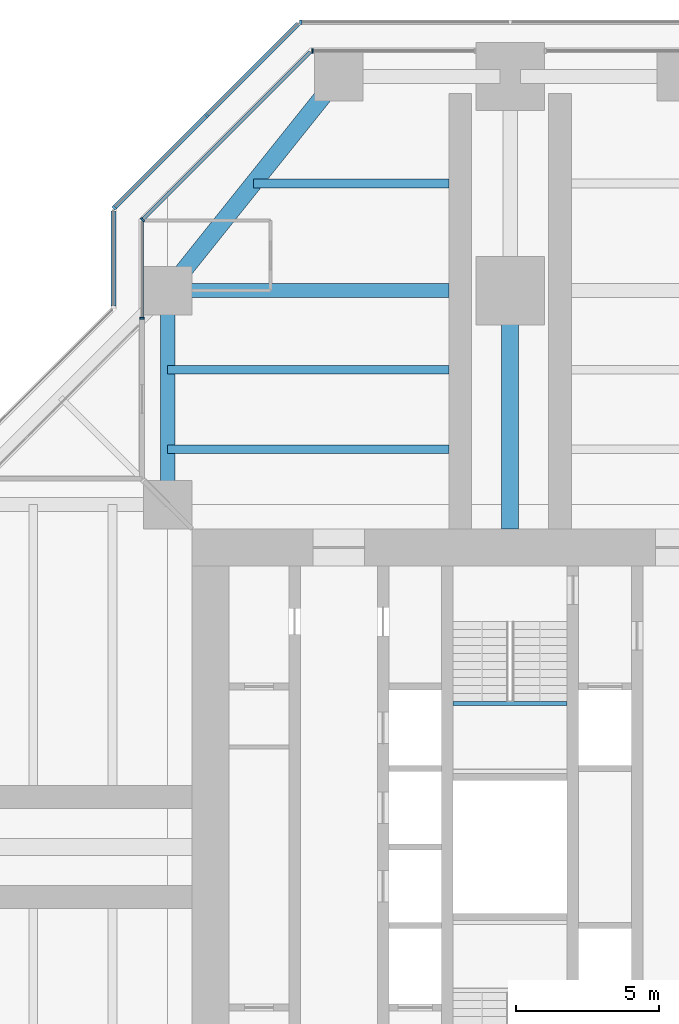
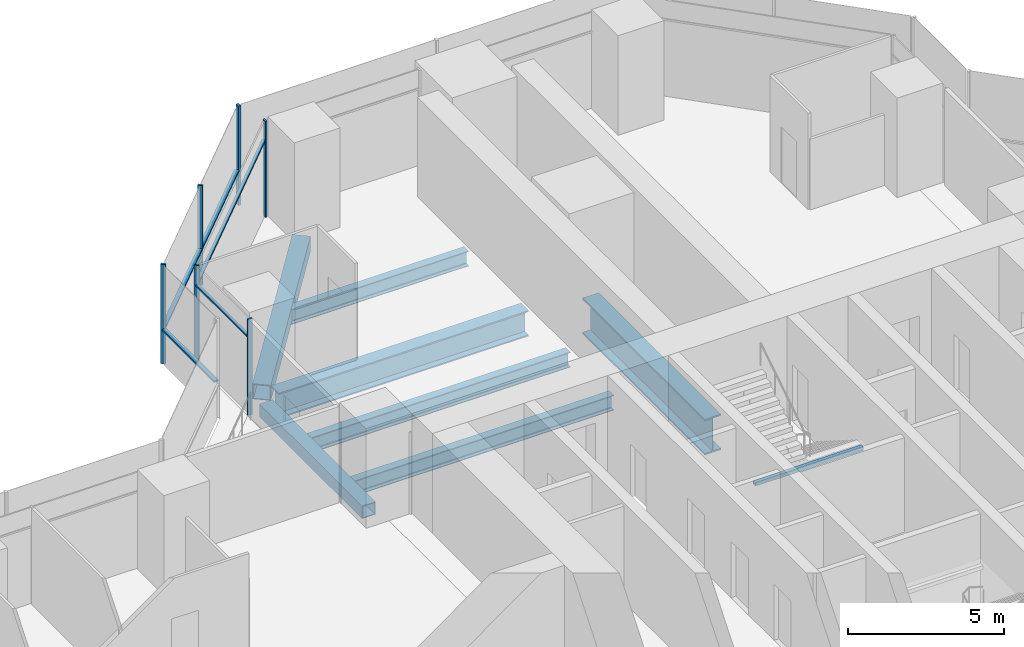
# One storey, part 8 of 20: 11 members, 8 beams, 6 elements without a shape of their own.
"""IFC4 building model written with IfcOpenShell, lengths in metres."""

import ifcopenshell
import ifcopenshell.guid

model = None  # the IFC model being written
_history = None  # IfcOwnerHistory: only IFC2X3 demands one
_inside = {}  # id of a spatial element -> (the spatial element, [elements in it])
_under = {}  # id of a project, library or spatial element -> (it, [spatial elements below it])
_declared = {}  # id of a project -> (the project, [libraries it declares])
_typed = {}  # id of a type object -> (the type object, [elements of that type])
_made_of = {}  # id of a material, layer set ... -> (it, [elements and type objects made of it])


def new_model(schema):
    """Start an empty IFC model of exactly this schema.

    Asked for "IFC4X3", IfcOpenShell would pick the latest addendum, in which some entities
    have other attributes; the version numbers below select the first issue.
    IFC2X3 requires an IfcOwnerHistory on every rooted entity: one is made here for all.
    """
    global model, _history
    if schema == "IFC4X3":
        model = ifcopenshell.file(schema_version=(4, 3, 0, 0))
    else:
        model = ifcopenshell.file(schema=schema)
    _inside.clear()
    _under.clear()
    _declared.clear()
    _typed.clear()
    _made_of.clear()
    _history = None
    if model.schema == "IFC2X3":
        org = make("IfcOrganization", Name="unknown")
        user = make(
            "IfcPersonAndOrganization",
            ThePerson=make("IfcPerson", FamilyName="unknown"),
            TheOrganization=org,
        )
        app = make(
            "IfcApplication",
            ApplicationDeveloper=org,
            Version="unknown",
            ApplicationFullName="unknown",
            ApplicationIdentifier="unknown",
        )
        _history = make(
            "IfcOwnerHistory",
            OwningUser=user,
            OwningApplication=app,
            ChangeAction="ADDED",
            CreationDate=0,
        )
    return model


def make(cls, **values):
    """One entity of the class cls with the attributes given. An attribute that is None is left unset."""
    return model.create_entity(
        cls, **{name: value for name, value in values.items() if value is not None}
    )


def rooted(cls, **values):
    """An entity with a GlobalId (a new one), such as an element, a storey or a relation."""
    return make(cls, GlobalId=ifcopenshell.guid.new(), OwnerHistory=_history, **values)


def si_unit(unit_type, name, prefix=None):
    """IfcSIUnit, for example si_unit("LENGTHUNIT", "METRE", prefix="MILLI")."""
    return make("IfcSIUnit", UnitType=unit_type, Prefix=prefix, Name=name)


def assignment(units):
    """IfcUnitAssignment: the units of a project."""
    return None if units is None else make("IfcUnitAssignment", Units=units)


def point(xyz):
    """IfcCartesianPoint."""
    return None if xyz is None else make("IfcCartesianPoint", Coordinates=xyz)


def direction(xyz):
    """IfcDirection."""
    return None if xyz is None else make("IfcDirection", DirectionRatios=xyz)


def frame(location, z_axis=None, x_axis=None):
    """IfcAxis2Placement3D, a coordinate frame: its origin and axes. An axis left out is left unset."""
    return make(
        "IfcAxis2Placement3D",
        Location=point(location),
        Axis=direction(z_axis),
        RefDirection=direction(x_axis),
    )


def frame_2d(location, x_axis=None):
    """IfcAxis2Placement2D, a coordinate frame in the plane: its origin and x axis."""
    return make(
        "IfcAxis2Placement2D", Location=point(location), RefDirection=direction(x_axis)
    )


def origin():
    """The frame at (0, 0, 0) with its axes left unset."""
    return frame((0.0, 0.0, 0.0))


def origin_2d():
    """The frame at (0, 0) in the plane with its x axis left unset."""
    return frame_2d((0.0, 0.0))


def place(relative_to, where):
    """IfcLocalPlacement: puts the frame where relative to a parent placement (None: the world)."""
    return make(
        "IfcLocalPlacement", PlacementRelTo=relative_to, RelativePlacement=where
    )


def context(
    kind, dimensions, precision=None, world=None, true_north=None, identifier=None
):
    """IfcGeometricRepresentationContext, for example the 3D "Model" context."""
    return make(
        "IfcGeometricRepresentationContext",
        ContextIdentifier=identifier,
        ContextType=kind,
        CoordinateSpaceDimension=dimensions,
        Precision=precision,
        WorldCoordinateSystem=world,
        TrueNorth=true_north,
    )


def subcontext(parent, identifier, kind, view, scale=None):
    """IfcGeometricRepresentationSubContext, for example "Body" below "Model"."""
    return make(
        "IfcGeometricRepresentationSubContext",
        ContextIdentifier=identifier,
        ContextType=kind,
        ParentContext=parent,
        TargetScale=scale,
        TargetView=view,
    )


def project(units=None, contexts=None):
    """IfcProject with its units and contexts."""
    return rooted(
        "IfcProject",
        Name="project",
        RepresentationContexts=contexts,
        UnitsInContext=assignment(units),
    )


def spatial(cls, under=None, at=None, **own):
    """A site, building, storey or space (cls), placed at a placement, below another one or the project."""
    s = rooted(cls, ObjectPlacement=at, **own)
    if under is not None:
        _under.setdefault(under.id(), (under, []))[1].append(s)
    return s


def profile(cls, at=None, kind="AREA", **sizes):
    """A parametric profile (cls). Its sizes go by their IFC names, for example OverallWidth=200.0."""
    return make(cls, ProfileType=kind, Position=at, **sizes)


def rectangle(**sizes):
    """IfcRectangleProfileDef."""
    return profile("IfcRectangleProfileDef", **sizes)


def hollow_rectangle(**sizes):
    """IfcRectangleHollowProfileDef."""
    return profile("IfcRectangleHollowProfileDef", **sizes)


def i_section(**sizes):
    """IfcIShapeProfileDef."""
    return profile("IfcIShapeProfileDef", **sizes)


def extrude(swept, where, along, depth):
    """IfcExtrudedAreaSolid: the profile swept, set in the frame where, extruded along a direction by depth."""
    return make(
        "IfcExtrudedAreaSolid",
        SweptArea=swept,
        Position=where,
        ExtrudedDirection=direction(along),
        Depth=depth,
    )


def shape(context_of_items, identifier, shape_type, items):
    """IfcShapeRepresentation: the items that make up one representation, for example the "Body"."""
    return make(
        "IfcShapeRepresentation",
        ContextOfItems=context_of_items,
        RepresentationIdentifier=identifier,
        RepresentationType=shape_type,
        Items=items,
    )


def material(Name=None, Category=None):
    """IfcMaterial."""
    return make("IfcMaterial", Name=Name, Category=Category)


def material_profile(
    of_material, cross_section, Name=None, Category=None, Priority=None
):
    """IfcMaterialProfile: a cross section and its material."""
    return make(
        "IfcMaterialProfile",
        Name=Name,
        Material=of_material,
        Profile=cross_section,
        Priority=Priority,
        Category=Category,
    )


def profile_set(profiles, Name=None, composite=None):
    """IfcMaterialProfileSet."""
    return make(
        "IfcMaterialProfileSet",
        Name=Name,
        MaterialProfiles=profiles,
        CompositeProfile=composite,
    )


def made_of(thing, what):
    """Note that an element or type object is made of a material, layer set ...; save() writes the relation."""
    if what is not None:
        _made_of.setdefault(what.id(), (what, []))[1].append(thing)
    return thing


def type_object(cls, material=None, **own):
    """A type object (cls), such as IfcWallType, which elements share."""
    return made_of(rooted(cls, **own), material)


def element(
    cls,
    number,
    at=None,
    inside=None,
    cuts=None,
    type_object=None,
    material=None,
    context=None,
    identifier="Body",
    shape_type=None,
    held_by="IfcProductDefinitionShape",
    body=None,
    shapes=None,
    **own,
):
    """One element of the class cls, such as IfcWall. Its Tag is "e" and its number.

    at: its placement. inside: the storey or other place that contains it. cuts: it is an
    opening in that element (IfcRelVoidsElement). A single representation is given by context,
    identifier, shape_type and body (its items); several are given by shapes. held_by: the class
    of the entity that holds the representations. save() writes the other relations.
    """
    e = rooted(cls, Tag="e%d" % number, ObjectPlacement=at, **own)
    if body is not None:
        shapes = [shape(context, identifier, shape_type, body)]
    if shapes is not None:
        e.Representation = make(held_by, Representations=shapes)
    if inside is not None:
        _inside.setdefault(inside.id(), (inside, []))[1].append(e)
    if cuts is not None:
        rooted(
            "IfcRelVoidsElement", RelatingBuildingElement=cuts, RelatedOpeningElement=e
        )
    if type_object is not None:
        _typed.setdefault(type_object.id(), (type_object, []))[1].append(e)
    return made_of(e, material)


def aggregate(whole, parts):
    """IfcRelAggregates: a whole, such as a stair, and the parts it consists of."""
    return rooted("IfcRelAggregates", RelatingObject=whole, RelatedObjects=parts)


def save(model, path):
    """Write the relations noted so far, then the file.

    IfcRelAggregates (storeys below a building ...), IfcRelContainedInSpatialStructure (elements
    in a storey), IfcRelDefinesByType, IfcRelAssociatesMaterial and IfcRelDeclares: one each for
    every whole, place, type object, material and project.
    """
    for whole, parts in _under.values():
        aggregate(whole, parts)
    for where, things in _inside.values():
        rooted(
            "IfcRelContainedInSpatialStructure",
            RelatedElements=things,
            RelatingStructure=where,
        )
    for kind, things in _typed.values():
        rooted("IfcRelDefinesByType", RelatedObjects=things, RelatingType=kind)
    for what, things in _made_of.values():
        rooted("IfcRelAssociatesMaterial", RelatedObjects=things, RelatingMaterial=what)
    for by, libraries in _declared.values():
        rooted("IfcRelDeclares", RelatingContext=by, RelatedDefinitions=libraries)
    model.write(path)


model = new_model("IFC4")

# Units and contexts
model_context = context("Model", 3, precision=1e-05, world=origin(), true_north=direction((0.0, 1.0)))
body_context = subcontext(model_context, "Body", "Model", "MODEL_VIEW")
ifc_project = project(units=[si_unit("LENGTHUNIT", "METRE"), si_unit("AREAUNIT", "SQUARE_METRE"), si_unit("VOLUMEUNIT", "CUBIC_METRE"), si_unit("PLANEANGLEUNIT", "RADIAN"), si_unit("MASSUNIT", "GRAM", prefix="KILO")], contexts=[model_context])

# Site, building, storey
site_placement = place(None, origin())
site = spatial("IfcSite", under=ifc_project, at=site_placement, CompositionType="ELEMENT")
building_placement = place(site_placement, origin())
building = spatial("IfcBuilding", under=site, at=building_placement, Name="Mizan Broadcast Tower", CompositionType="ELEMENT")
storey_placement = place(building_placement, frame((0.0, 0.0, 171.0)))
storey = spatial("IfcBuildingStorey", under=building, at=storey_placement, Name="L39", CompositionType="ELEMENT", Elevation=171.0)

# Beams
ifc_material_1 = material(Name="Steel S355", Category="steel")
ifc_material_profile_1 = material_profile(ifc_material_1, hollow_rectangle(XDim=0.5, YDim=0.5, WallThickness=0.030029296875, at=origin_2d()), Name="BOX 500x500x30")
ifc_profile_set_1 = profile_set([ifc_material_profile_1], Name="Steel S355")
beam_type_1 = type_object("IfcBeamType", Name="EDGE BEAM BOX 500x500x30", PredefinedType="SPANDREL", material=ifc_profile_set_1)
beam_1_placement = place(storey_placement, frame((-12.0, 12.449951171875, -0.3798828125), z_axis=(0.0, 1.0, 0.0), x_axis=(-1.0, 0.0, 0.0)))
element("IfcBeam", 1, at=beam_1_placement, inside=storey, type_object=beam_type_1, Name="Edge beam BOX 500x500x30 L39 north arm", PredefinedType="SPANDREL", context=body_context, shape_type="SweptSolid", body=[
    extrude(hollow_rectangle(XDim=0.5, YDim=0.5, WallThickness=0.030029296875, at=origin_2d()), origin(), (0.0, 0.0, 1.0), 6.60009765625),
])
ifc_material_2 = material(Name="Steel S355", Category="steel")
ifc_material_profile_2 = material_profile(ifc_material_2, hollow_rectangle(XDim=0.60009765625, YDim=0.60009765625, WallThickness=0.030029296875, at=origin_2d()), Name="BOX 600x600x30")
ifc_profile_set_2 = profile_set([ifc_material_profile_2], Name="Steel S355")
beam_type_2 = type_object("IfcBeamType", Name="EDGE BEAM BOX 600x600x30", PredefinedType="SPANDREL", material=ifc_profile_set_2)
beam_2_placement = place(storey_placement, frame((-11.639892578125, 19.949951171875, -0.429931640625), z_axis=(0.624673911726, 0.780885717636, 0.0), x_axis=(-0.780885717636, 0.624673911726, 0.0)))
element("IfcBeam", 2, at=beam_2_placement, inside=storey, type_object=beam_type_2, Name="Edge beam BOX 600x600x30 L39 north arm", PredefinedType="SPANDREL", context=body_context, shape_type="SweptSolid", body=[
    extrude(hollow_rectangle(XDim=0.60009765625, YDim=0.60009765625, WallThickness=0.030029296875, at=origin_2d()), origin(), (0.0, 0.0, 1.0), 8.4521484375),
])
ifc_material_3 = material(Name="Steel S460", Category="steel")
ifc_material_profile_3 = material_profile(ifc_material_3, i_section(OverallWidth=0.5, OverallDepth=1.0, WebThickness=0.02490234375, FlangeThickness=0.050048828125, at=origin_2d()), Name="WPG 1000x500")
ifc_profile_set_3 = profile_set([ifc_material_profile_3], Name="Steel S460")
beam_type_3 = type_object("IfcBeamType", Name="GIRDER WPG 1000x500", PredefinedType="BEAM", material=ifc_profile_set_3)
beam_3_placement = place(storey_placement, frame((-11.408935546875, 19.5, -0.6298828125), z_axis=(1.0, 0.0, 0.0), x_axis=(0.0, 1.0, 0.0)))
element("IfcBeam", 3, at=beam_3_placement, inside=storey, type_object=beam_type_3, Name="Girder WPG 1000x500 L39 north arm", PredefinedType="BEAM", context=body_context, shape_type="SweptSolid", body=[
    extrude(i_section(OverallWidth=0.5, OverallDepth=1.0, WebThickness=0.02490234375, FlangeThickness=0.050048828125, at=origin_2d()), origin(), (0.0, 0.0, 1.0), 9.259033203125),
])
ifc_material_4 = material(Name="Steel S460", Category="steel")
ifc_material_profile_4 = material_profile(ifc_material_4, i_section(OverallWidth=0.60009765625, OverallDepth=1.39990234375, WebThickness=0.02490234375, FlangeThickness=0.06005859375, at=origin_2d()), Name="WPG 1400x600")
ifc_profile_set_4 = profile_set([ifc_material_profile_4], Name="Steel S460")
beam_type_4 = type_object("IfcBeamType", Name="GIRDER WPG 1400x600", PredefinedType="BEAM", material=ifc_profile_set_4)
beam_4_placement = place(storey_placement, frame((0.0, 11.14990234375, -0.830078125), z_axis=(0.0, 1.0, 0.0), x_axis=(-1.0, 0.0, 0.0)))
element("IfcBeam", 4, at=beam_4_placement, inside=storey, type_object=beam_type_4, Name="Girder WPG 1400x600 L39 north arm", PredefinedType="BEAM", context=body_context, shape_type="SweptSolid", body=[
    extrude(i_section(OverallWidth=0.60009765625, OverallDepth=1.39990234375, WebThickness=0.02490234375, FlangeThickness=0.06005859375, at=origin_2d()), origin(), (0.0, 0.0, 1.0), 7.84912109375),
])

# Curtain wall, member
ifc_material_5 = material(Name="Aluminium framed glazing", Category="aluminium")
curtain_wall_type_1 = type_object("IfcCurtainWallType", Name="INNER SKIN MID ZONE", PredefinedType="USERDEFINED", material=ifc_material_5)
curtain_wall_1_placement = place(storey_placement, origin())
curtain_wall_1 = element("IfcCurtainWall", 5, at=curtain_wall_1_placement, inside=storey, type_object=curtain_wall_type_1, Name="Inner skin mid zone L39 N end", ObjectType="INNER SKIN MID ZONE", PredefinedType="USERDEFINED")
ifc_material_6 = material(Name="Aluminium, pale anodised", Category="aluminium")
ifc_material_profile_5 = material_profile(ifc_material_6, rectangle(XDim=0.159912109375, YDim=0.06005859375, at=origin_2d()), Name="MULLION 160x60")
ifc_profile_set_5 = profile_set([ifc_material_profile_5], Name="Aluminium, pale anodised")
member_type_1 = type_object("IfcMemberType", Name="INNER SKIN MULLION 60x160", PredefinedType="MULLION", material=ifc_profile_set_5)
member_1_placement = place(storey_placement, frame((-6.928466796875, 27.89990234375, 0.0), z_axis=(0.0, 0.0, 1.0), x_axis=(0.0, -1.0, 0.0)))
member_1 = element("IfcMember", 6, at=member_1_placement, type_object=member_type_1, Name="Inner skin mid zone L39 N end mullion 2", PredefinedType="MULLION", context=body_context, shape_type="SweptSolid", body=[
    extrude(rectangle(XDim=0.159912109375, YDim=0.06005859375, at=origin_2d()), origin(), (0.0, 0.0, 1.0), 3.77001953125),
])
aggregate(curtain_wall_1, [member_1])

curtain_wall_2_placement = place(storey_placement, origin())
curtain_wall_2 = element("IfcCurtainWall", 7, at=curtain_wall_2_placement, inside=storey, type_object=curtain_wall_type_1, Name="Inner skin mid zone L39 N chamfer", ObjectType="INNER SKIN MID ZONE", PredefinedType="USERDEFINED")
member_2_placement = place(storey_placement, frame((-12.87890625, 21.979736328125, 0.0), z_axis=(0.0, 0.0, 1.0), x_axis=(0.707106781187, -0.707106781187, 0.0)))
member_2 = element("IfcMember", 8, at=member_2_placement, type_object=member_type_1, Name="Inner skin mid zone L39 N chamfer mullion 2", PredefinedType="MULLION", context=body_context, shape_type="SweptSolid", body=[
    extrude(rectangle(XDim=0.159912109375, YDim=0.06005859375, at=origin_2d()), origin(), (0.0, 0.0, 1.0), 3.77001953125),
])

curtain_wall_3_placement = place(storey_placement, origin())
curtain_wall_3 = element("IfcCurtainWall", 9, at=curtain_wall_3_placement, inside=storey, type_object=curtain_wall_type_1, Name="Inner skin mid zone L39 N side", ObjectType="INNER SKIN MID ZONE", PredefinedType="USERDEFINED")
member_3_placement = place(storey_placement, frame((-12.89990234375, 18.530029296875, 0.0), z_axis=(0.0, 0.0, 1.0), x_axis=(1.0, 0.0, 0.0)))
member_3 = element("IfcMember", 10, at=member_3_placement, type_object=member_type_1, Name="Inner skin mid zone L39 N side mullion 2", PredefinedType="MULLION", context=body_context, shape_type="SweptSolid", body=[
    extrude(rectangle(XDim=0.159912109375, YDim=0.06005859375, at=origin_2d()), origin(), (0.0, 0.0, 1.0), 3.77001953125),
])

# Member
ifc_material_7 = material(Name="Aluminium, pale anodised", Category="aluminium")
ifc_material_profile_6 = material_profile(ifc_material_7, rectangle(XDim=0.1201171875, YDim=0.06005859375, at=origin_2d()), Name="TRANSOM 120x60")
ifc_profile_set_6 = profile_set([ifc_material_profile_6], Name="Aluminium, pale anodised")
member_type_2 = type_object("IfcMemberType", Name="INNER SKIN TRANSOM 60x120", PredefinedType="USERDEFINED", material=ifc_profile_set_6)
member_4_placement = place(storey_placement, frame((-7.0009765625, 27.857666015625, 3.030029296875), z_axis=(-0.707106781187, -0.707106781187, 0.0), x_axis=(0.707106781187, -0.707106781187, 0.0)))
member_4 = element("IfcMember", 11, at=member_4_placement, type_object=member_type_2, Name="Inner skin mid zone L39 N chamfer transom 1.1", ObjectType="TRANSOM", PredefinedType="USERDEFINED", context=body_context, shape_type="SweptSolid", body=[
    extrude(rectangle(XDim=0.1201171875, YDim=0.06005859375, at=origin_2d()), origin(), (0.0, 0.0, 1.0), 8.28271484375),
])

aggregate(curtain_wall_2, [member_2, member_4])

member_5_placement = place(storey_placement, frame((-12.89990234375, 21.898681640625, 3.030029296875), z_axis=(0.0, -1.0, 0.0), x_axis=(1.0, 0.0, 0.0)))
member_5 = element("IfcMember", 12, at=member_5_placement, type_object=member_type_2, Name="Inner skin mid zone L39 N side transom 1.1", ObjectType="TRANSOM", PredefinedType="USERDEFINED", context=body_context, shape_type="SweptSolid", body=[
    extrude(rectangle(XDim=0.1201171875, YDim=0.06005859375, at=origin_2d()), origin(), (0.0, 0.0, 1.0), 3.338623046875),
])

aggregate(curtain_wall_3, [member_3, member_5])

# Beam
ifc_material_8 = material(Name="Steel S355", Category="steel")
ifc_material_profile_7 = material_profile(ifc_material_8, hollow_rectangle(XDim=0.14990234375, YDim=0.14990234375, WallThickness=0.008056640625, InnerFilletRadius=0.008056640625, OuterFilletRadius=0.011962890625, at=origin_2d()), Name="SHS 150x150x8")
ifc_profile_set_7 = profile_set([ifc_material_profile_7], Name="Steel S355")
beam_type_5 = type_object("IfcBeamType", Name="LANDING TRIMMER SHS 150x150x8", PredefinedType="BEAM", material=ifc_profile_set_7)
beam_5_placement = place(storey_placement, frame((2.0, 5.02490234375, 1.675048828125), z_axis=(-1.0, 0.0, 0.0), x_axis=(0.0, -1.0, 0.0)))
element("IfcBeam", 13, at=beam_5_placement, inside=storey, type_object=beam_type_5, Name="Stair B landing trimmer L39", PredefinedType="BEAM", context=body_context, shape_type="SweptSolid", body=[
    extrude(hollow_rectangle(XDim=0.14990234375, YDim=0.14990234375, WallThickness=0.008056640625, InnerFilletRadius=0.008056640625, OuterFilletRadius=0.011962890625, at=origin_2d()), origin(), (0.0, 0.0, 1.0), 4.0),
])

# Curtain wall, member
ifc_material_9 = material(Name="Aluminium framed glazing", Category="aluminium")
curtain_wall_type_2 = type_object("IfcCurtainWallType", Name="OUTER SKIN", PredefinedType="USERDEFINED", material=ifc_material_9)
curtain_wall_4_placement = place(storey_placement, origin())
curtain_wall_4 = element("IfcCurtainWall", 14, at=curtain_wall_4_placement, inside=storey, type_object=curtain_wall_type_2, Name="Outer skin L39 N end", ObjectType="OUTER SKIN", PredefinedType="USERDEFINED")
ifc_material_10 = material(Name="Aluminium, pale anodised", Category="aluminium")
ifc_material_profile_8 = material_profile(ifc_material_10, rectangle(XDim=0.159912109375, YDim=0.080078125, at=origin_2d()), Name="MULLION 160x80")
ifc_profile_set_8 = profile_set([ifc_material_profile_8], Name="Aluminium, pale anodised")
member_type_3 = type_object("IfcMemberType", Name="OUTER SKIN MULLION 80x160", PredefinedType="MULLION", material=ifc_profile_set_8)
member_6_placement = place(storey_placement, frame((-7.332763671875, 28.89990234375, 0.0), z_axis=(0.0, 0.0, 1.0), x_axis=(0.0, -1.0, 0.0)))
member_6 = element("IfcMember", 15, at=member_6_placement, type_object=member_type_3, Name="Outer skin L39 N end mullion 3", PredefinedType="MULLION", context=body_context, shape_type="SweptSolid", body=[
    extrude(rectangle(XDim=0.159912109375, YDim=0.080078125, at=origin_2d()), origin(), (0.0, 0.0, 1.0), 3.89990234375),
])
aggregate(curtain_wall_4, [member_6])

# Curtain wall, members
curtain_wall_5_placement = place(storey_placement, origin())
curtain_wall_5 = element("IfcCurtainWall", 16, at=curtain_wall_5_placement, inside=storey, type_object=curtain_wall_type_2, Name="Outer skin L39 N chamfer", ObjectType="OUTER SKIN", PredefinedType="USERDEFINED")
member_7_placement = place(storey_placement, frame((-10.636474609375, 25.636474609375, 0.0), z_axis=(0.0, 0.0, 1.0), x_axis=(0.707106781187, -0.707106781187, 0.0)))
member_7 = element("IfcMember", 17, at=member_7_placement, type_object=member_type_3, Name="Outer skin L39 N chamfer mullion 2", PredefinedType="MULLION", context=body_context, shape_type="SweptSolid", body=[
    extrude(rectangle(XDim=0.159912109375, YDim=0.080078125, at=origin_2d()), origin(), (0.0, 0.0, 1.0), 3.89990234375),
])
member_8_placement = place(storey_placement, frame((-13.871826171875, 22.401123046875, 0.0), z_axis=(0.0, 0.0, 1.0), x_axis=(0.707106781187, -0.707106781187, 0.0)))
member_8 = element("IfcMember", 18, at=member_8_placement, type_object=member_type_3, Name="Outer skin L39 N chamfer mullion 3", PredefinedType="MULLION", context=body_context, shape_type="SweptSolid", body=[
    extrude(rectangle(XDim=0.159912109375, YDim=0.080078125, at=origin_2d()), origin(), (0.0, 0.0, 1.0), 3.89990234375),
])
ifc_material_11 = material(Name="Aluminium, pale anodised", Category="aluminium")
ifc_material_profile_9 = material_profile(ifc_material_11, rectangle(XDim=0.159912109375, YDim=0.06005859375, at=origin_2d()), Name="TRANSOM 160x60")
ifc_profile_set_9 = profile_set([ifc_material_profile_9], Name="Aluminium, pale anodised")
member_type_4 = type_object("IfcMemberType", Name="OUTER SKIN TRANSOM 60x160", PredefinedType="USERDEFINED", material=ifc_profile_set_9)
member_9_placement = place(storey_placement, frame((-7.429443359375, 28.843505859375, 1.39990234375), z_axis=(-0.707106781187, -0.707106781187, 0.0), x_axis=(0.707106781187, -0.707106781187, 0.0)))
member_9 = element("IfcMember", 19, at=member_9_placement, type_object=member_type_4, Name="Outer skin L39 N chamfer transom 1.1", ObjectType="TRANSOM", PredefinedType="USERDEFINED", context=body_context, shape_type="SweptSolid", body=[
    extrude(rectangle(XDim=0.159912109375, YDim=0.06005859375, at=origin_2d()), origin(), (0.0, 0.0, 1.0), 4.495361328125),
])
member_10_placement = place(storey_placement, frame((-10.664794921875, 25.608154296875, 1.39990234375), z_axis=(-0.707106781187, -0.707106781187, 0.0), x_axis=(0.707106781187, -0.707106781187, 0.0)))
member_10 = element("IfcMember", 20, at=member_10_placement, type_object=member_type_4, Name="Outer skin L39 N chamfer transom 2.1", ObjectType="TRANSOM", PredefinedType="USERDEFINED", context=body_context, shape_type="SweptSolid", body=[
    extrude(rectangle(XDim=0.159912109375, YDim=0.06005859375, at=origin_2d()), origin(), (0.0, 0.0, 1.0), 4.495361328125),
])
aggregate(curtain_wall_5, [member_7, member_8, member_9, member_10])

# Curtain wall, member
curtain_wall_6_placement = place(storey_placement, origin())
curtain_wall_6 = element("IfcCurtainWall", 21, at=curtain_wall_6_placement, inside=storey, type_object=curtain_wall_type_2, Name="Outer skin L39 N side", ObjectType="OUTER SKIN", PredefinedType="USERDEFINED")
member_11_placement = place(storey_placement, frame((-13.89990234375, 22.292724609375, 1.39990234375), z_axis=(0.0, -1.0, 0.0), x_axis=(1.0, 0.0, 0.0)))
member_11 = element("IfcMember", 22, at=member_11_placement, type_object=member_type_4, Name="Outer skin L39 N side transom 1.1", ObjectType="TRANSOM", PredefinedType="USERDEFINED", context=body_context, shape_type="SweptSolid", body=[
    extrude(rectangle(XDim=0.159912109375, YDim=0.06005859375, at=origin_2d()), origin(), (0.0, 0.0, 1.0), 3.33984375),
])
aggregate(curtain_wall_6, [member_11])

# Beams
ifc_material_12 = material(Name="Steel S355", Category="steel")
ifc_material_profile_10 = material_profile(ifc_material_12, i_section(OverallWidth=0.300048828125, OverallDepth=0.590087890625, WebThickness=0.012939453125, FlangeThickness=0.02490234375, FilletRadius=0.027099609375, at=origin_2d()), Name="HEA 600")
ifc_profile_set_10 = profile_set([ifc_material_profile_10], Name="Steel S355")
beam_type_6 = type_object("IfcBeamType", Name="SECONDARY BEAM HEA 600", PredefinedType="JOIST", material=ifc_profile_set_10)
for number, where, z_axis, x_axis, name in (
    (23, (-12.0, 13.933349609375, -0.425048828125), (1.0, 0.0, 0.0), (0.0, 1.0, 0.0), "Secondary beam HEA 600 L39 north arm"),
    (24, (-12.0, 16.716552734375, -0.425048828125), (1.0, 0.0, 0.0), (0.0, 1.0, 0.0), "Secondary beam HEA 600 L39 north arm"),
):
    element("IfcBeam", number, at=place(storey_placement, frame(where, z_axis=z_axis, x_axis=x_axis)), inside=storey, type_object=beam_type_6, Name=name, PredefinedType="JOIST", context=body_context, shape_type="SweptSolid", body=[
        extrude(i_section(OverallWidth=0.300048828125, OverallDepth=0.590087890625, WebThickness=0.012939453125, FlangeThickness=0.02490234375, FilletRadius=0.027099609375, at=origin_2d()), origin(), (0.0, 0.0, 1.0), 9.85009765625),
    ])
beam_6_placement = place(storey_placement, frame((-9.0, 23.25, -0.425048828125), z_axis=(1.0, 0.0, 0.0), x_axis=(0.0, 1.0, 0.0)))
element("IfcBeam", 25, at=beam_6_placement, inside=storey, type_object=beam_type_6, Name="Secondary beam HEA 600 L39 north arm", PredefinedType="JOIST", context=body_context, shape_type="SweptSolid", body=[
    extrude(i_section(OverallWidth=0.300048828125, OverallDepth=0.590087890625, WebThickness=0.012939453125, FlangeThickness=0.02490234375, FilletRadius=0.027099609375, at=origin_2d()), origin(), (0.0, 0.0, 1.0), 6.85009765625),
])

save(model, "model.ifc")
